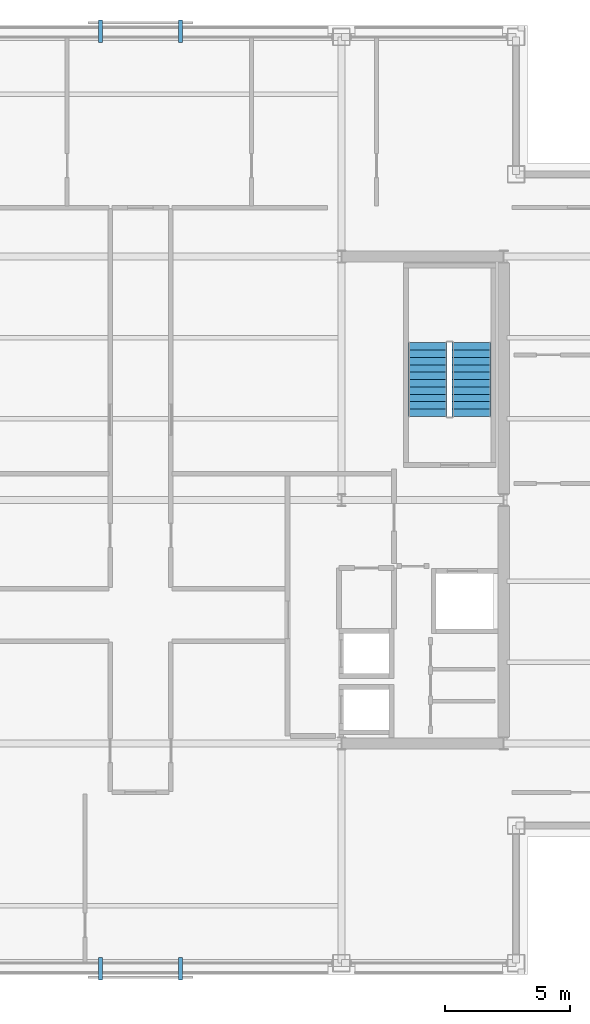
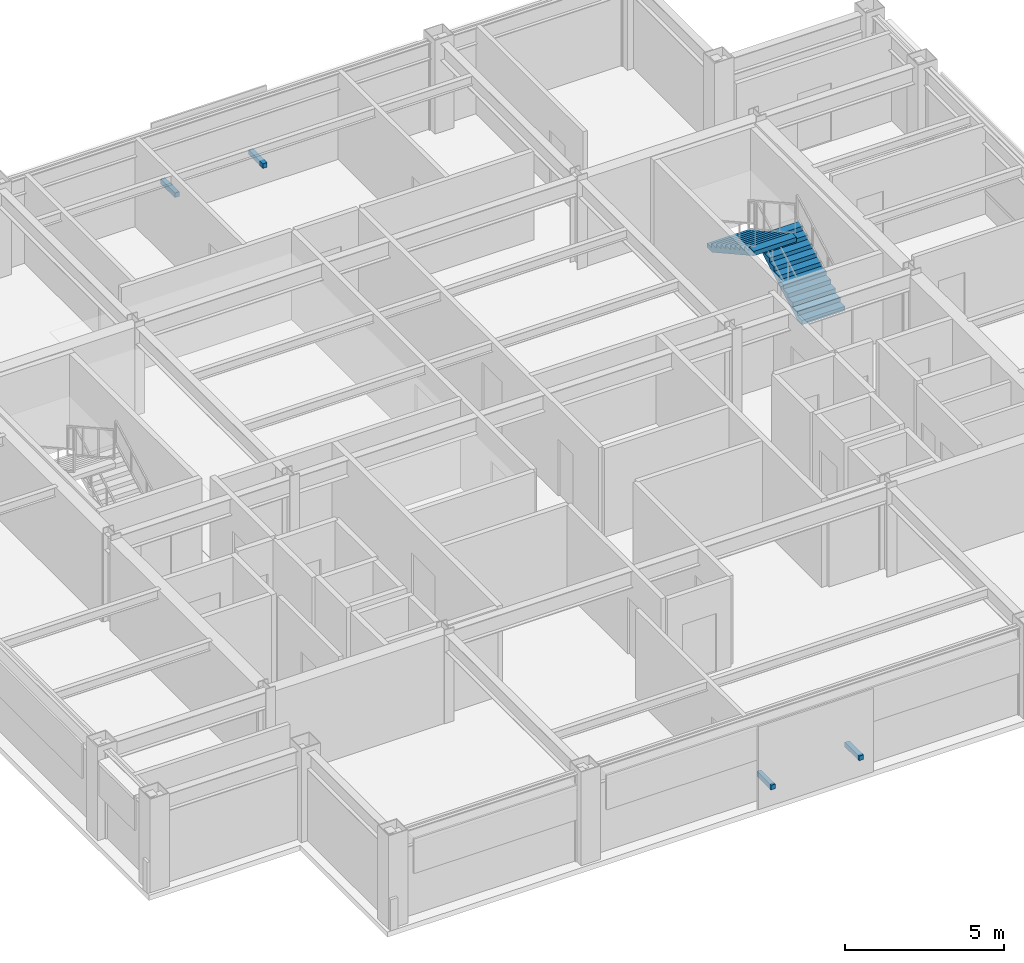
# One storey, part 28 of 30: 4 discrete accessories, 2 stair flights, 1 element without a shape of its own.
"""IFC4 building model written with IfcOpenShell, lengths in metres."""

from ifc_helpers import new_model, si_unit, direction, frame, origin, origin_2d, place, context, subcontext, project, spatial, polyline, rectangle, outline, extrude, material, type_object, element, aggregate, save


model = new_model("IFC4")

# Units and contexts
model_context = context("Model", 3, precision=1e-05, world=origin(), true_north=direction((0.0, 1.0)))
body_context = subcontext(model_context, "Body", "Model", "MODEL_VIEW")
ifc_project = project(units=[si_unit("LENGTHUNIT", "METRE"), si_unit("AREAUNIT", "SQUARE_METRE"), si_unit("VOLUMEUNIT", "CUBIC_METRE"), si_unit("PLANEANGLEUNIT", "RADIAN"), si_unit("MASSUNIT", "GRAM", prefix="KILO")], contexts=[model_context])

# Site, building, storey
site_placement = place(None, origin())
site = spatial("IfcSite", under=ifc_project, at=site_placement, CompositionType="ELEMENT")
building_placement = place(site_placement, origin())
building = spatial("IfcBuilding", under=site, at=building_placement, Name="Brelmoor Portico Tower", CompositionType="ELEMENT")
storey_placement = place(building_placement, frame((0.0, 0.0, 198.300048828125)))
storey = spatial("IfcBuildingStorey", under=building, at=storey_placement, Name="L52", CompositionType="ELEMENT", Elevation=198.300048828125)

# Stair, stair flights
ifc_material_1 = material(Name="Concrete C40", Category="concrete")
stair_type = type_object("IfcStairType", Name="ST-CORE-E", PredefinedType="HALF_TURN_STAIR", material=ifc_material_1)
stair_placement = place(storey_placement, origin())
stair = element("IfcStair", 1, at=stair_placement, inside=storey, type_object=stair_type, Name="L52 Protected Core Exit Stair ST-E", PredefinedType="HALF_TURN_STAIR")
stair_flight_type = type_object("IfcStairFlightType", Name="SF-CORE-1850", PredefinedType="STRAIGHT", material=ifc_material_1)
stair_flight_1_placement = place(storey_placement, frame((13.27001953125, 3.35009765625, 0.0), z_axis=(0.0, 0.0, 1.0), x_axis=(0.0, 1.0, 0.0)))
stair_flight_1 = element("IfcStairFlight", 2, at=stair_flight_1_placement, type_object=stair_flight_type, Name="ST-E flight 1", NumberOfRisers=11, NumberOfTreads=10, PredefinedType="STRAIGHT", RiserHeight=0.163636364, TreadLength=0.295, context=body_context, shape_type="SweptSolid", body=[
    extrude(outline(polyline([(0.0, 0.0), (0.0, 0.16357421875), (0.294921875, 0.16357421875), (0.294921875, 0.327392578125), (0.590087890625, 0.327392578125), (0.590087890625, 0.490966796875), (0.885009765625, 0.490966796875), (0.885009765625, 0.654541015625), (1.179931640625, 0.654541015625), (1.179931640625, 0.818115234375), (1.47509765625, 0.818115234375), (1.47509765625, 0.98193359375), (1.77001953125, 0.98193359375), (1.77001953125, 1.1455078125), (2.06494140625, 1.1455078125), (2.06494140625, 1.30908203125), (2.360107421875, 1.30908203125), (2.360107421875, 1.47265625), (2.655029296875, 1.47265625), (2.655029296875, 1.636474609375), (2.949951171875, 1.636474609375), (2.949951171875, 1.800048828125), (2.949951171875, 1.46484375), (0.30908203125, 0.0), (0.0, 0.0)])), frame((0.0, 0.780029296875, 0.0), z_axis=(0.0, -1.0, 0.0), x_axis=(1.0, 0.0, 0.0)), (0.0, 0.0, 1.0), 1.56005859375),
])
stair_flight_2_placement = place(storey_placement, frame((11.510009765625, 6.300048828125, 1.800048828125), z_axis=(0.0, 0.0, 1.0), x_axis=(0.0, -1.0, 0.0)))
stair_flight_2 = element("IfcStairFlight", 3, at=stair_flight_2_placement, type_object=stair_flight_type, Name="ST-E flight 2", NumberOfRisers=11, NumberOfTreads=10, PredefinedType="STRAIGHT", RiserHeight=0.163636364, TreadLength=0.295, context=body_context, shape_type="SweptSolid", body=[
    extrude(outline(polyline([(0.0, 0.0), (0.0, 0.16357421875), (0.294921875, 0.16357421875), (0.294921875, 0.327392578125), (0.590087890625, 0.327392578125), (0.590087890625, 0.490966796875), (0.885009765625, 0.490966796875), (0.885009765625, 0.654541015625), (1.179931640625, 0.654541015625), (1.179931640625, 0.818115234375), (1.47509765625, 0.818115234375), (1.47509765625, 0.98193359375), (1.77001953125, 0.98193359375), (1.77001953125, 1.1455078125), (2.06494140625, 1.1455078125), (2.06494140625, 1.30908203125), (2.360107421875, 1.30908203125), (2.360107421875, 1.47265625), (2.655029296875, 1.47265625), (2.655029296875, 1.636474609375), (2.949951171875, 1.636474609375), (2.949951171875, 1.800048828125), (2.949951171875, 1.46484375), (0.30908203125, 0.0), (0.0, 0.0)])), frame((0.0, 0.780029296875, 0.0), z_axis=(0.0, -1.0, 0.0), x_axis=(1.0, 0.0, 0.0)), (0.0, 0.0, 1.0), 1.56005859375),
])
aggregate(stair, [stair_flight_1, stair_flight_2])

# Discrete accessories
ifc_material_2 = material(Name="Galvanised Steel Q355B", Category="steel")
discrete_accessory_type = type_object("IfcDiscreteAccessoryType", Name="DA-SCREEN-BRACKET", PredefinedType="BRACKET", material=ifc_material_2)
for number, where, z_axis, x_axis, name in (
    (4, (-1.60009765625, -18.780029296875, 0.759765625), (0.0, 0.0, 1.0), (1.0, 0.0, 0.0), "L52 Solar Screen Bracket S1A"),
    (5, (1.60009765625, -18.780029296875, 0.759765625), (0.0, 0.0, 1.0), (1.0, 0.0, 0.0), "L52 Solar Screen Bracket S1B"),
    (6, (-1.60009765625, 18.780029296875, 0.759765625), (0.0, 0.0, 1.0), (1.0, 0.0, 0.0), "L52 Solar Screen Bracket N1A"),
    (7, (1.60009765625, 18.780029296875, 0.759765625), (0.0, 0.0, 1.0), (1.0, 0.0, 0.0), "L52 Solar Screen Bracket N1B"),
):
    element("IfcDiscreteAccessory", number, at=place(storey_placement, frame(where, z_axis=z_axis, x_axis=x_axis)), inside=storey, type_object=discrete_accessory_type, Name=name, PredefinedType="BRACKET", context=body_context, shape_type="SweptSolid", body=[
        extrude(rectangle(XDim=0.159912109375, YDim=0.89990234375, at=origin_2d()), origin(), (0.0, 0.0, 1.0), 0.179931640625),
    ])

save(model, "model.ifc")
